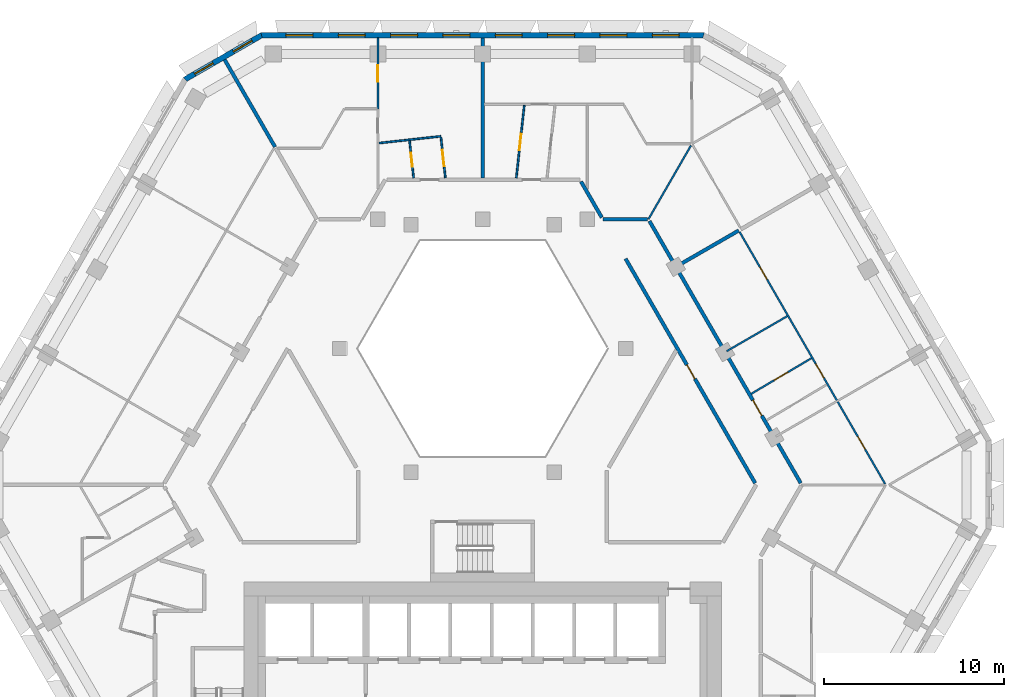
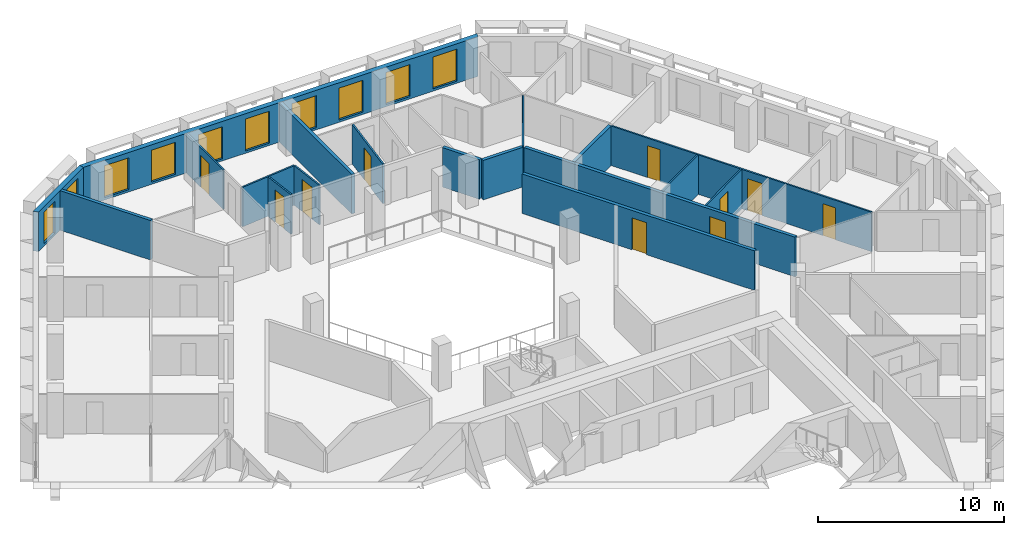
# One storey, part 8 of 17: 18 walls, 10 doors, 10 windows, 20 openings.
"""IFC4 building model written with IfcOpenShell, lengths in metres."""

from ifc_helpers import new_model, si_unit, direction, frame, frame_2d, origin, place, context, subcontext, project, spatial, polyline, rectangle, outline, extrude, material, layer, layer_set, type_object, element, fill, save


model = new_model("IFC4")

# Units and contexts
model_context = context("Model", 3, precision=1e-05, world=origin(), true_north=direction((0.0, 1.0)))
body_context = subcontext(model_context, "Body", "Model", "MODEL_VIEW")
ifc_project = project(units=[si_unit("LENGTHUNIT", "METRE"), si_unit("AREAUNIT", "SQUARE_METRE"), si_unit("VOLUMEUNIT", "CUBIC_METRE"), si_unit("PLANEANGLEUNIT", "RADIAN"), si_unit("MASSUNIT", "GRAM", prefix="KILO")], contexts=[model_context])

# Site, building, storey
site_placement = place(None, origin())
site = spatial("IfcSite", under=ifc_project, at=site_placement, CompositionType="ELEMENT")
building_placement = place(site_placement, origin())
building = spatial("IfcBuilding", under=site, at=building_placement, Name="Beryl Residences", CompositionType="ELEMENT")
storey_placement = place(building_placement, frame((0.0, 0.0, 150.60009765625)))
storey = spatial("IfcBuildingStorey", under=building, at=storey_placement, Name="L46", CompositionType="ELEMENT", Elevation=150.60009765625)

# Wall, openings, windows
ifc_material_1 = material(Name="Composite metal panel with mineral wool insulation")
ifc_layer_1 = layer(ifc_material_1, 0.300048828125)
ifc_layer_set_1 = layer_set([ifc_layer_1], Name="ES1 pale metal composite panel wall 300 mm")
wall_type_1 = type_object("IfcWallType", Name="ES1 pale metal composite panel wall 300 mm", PredefinedType="SOLIDWALL", material=ifc_layer_set_1)
wall_1_placement = place(storey_placement, frame((12.35498046875, 25.449951171875, 0.0), z_axis=(0.0, 0.0, 1.0), x_axis=(-1.0, 0.0, 0.0)))
wall_1 = element("IfcWall", 1, at=wall_1_placement, inside=storey, type_object=wall_type_1, Name="ES1 external wall L46 N", PredefinedType="SOLIDWALL", context=body_context, shape_type="SweptSolid", body=[
    extrude(outline(polyline([(0.0, -0.14990234375), (24.7099609375, -0.14990234375), (24.629638671875, 0.14990234375), (0.080322265625, 0.14990234375), (0.0, -0.14990234375)])), origin(), (0.0, 0.0, 1.0), 2.599853515625),
])
opening_1_placement = place(wall_1_placement, frame((1.40087890625, 0.0, 0.14990234375)))
opening_1 = element("IfcOpeningElement", 2, at=opening_1_placement, cuts=wall_1, Name="Opening W1", PredefinedType="OPENING", context=body_context, shape_type="SweptSolid", body=[
    extrude(rectangle(XDim=1.5, YDim=2.10009765625, at=frame_2d((0.75, 1.050048828125))), frame((0.0, 0.159912109375, 0.0), z_axis=(0.0, -1.0, 0.0), x_axis=(1.0, 0.0, 0.0)), (0.0, 0.0, 1.0), 0.320068359375),
])
opening_2_placement = place(wall_1_placement, frame((4.31591796875, 0.0, 0.14990234375)))
opening_2 = element("IfcOpeningElement", 3, at=opening_2_placement, cuts=wall_1, Name="Opening W1", PredefinedType="OPENING", context=body_context, shape_type="SweptSolid", body=[
    extrude(rectangle(XDim=1.5, YDim=2.10009765625, at=frame_2d((0.75, 1.050048828125))), frame((0.0, 0.159912109375, 0.0), z_axis=(0.0, -1.0, 0.0), x_axis=(1.0, 0.0, 0.0)), (0.0, 0.0, 1.0), 0.320068359375),
])
opening_3_placement = place(wall_1_placement, frame((7.23193359375, 0.0, 0.14990234375)))
opening_3 = element("IfcOpeningElement", 4, at=opening_3_placement, cuts=wall_1, Name="Opening W1", PredefinedType="OPENING", context=body_context, shape_type="SweptSolid", body=[
    extrude(rectangle(XDim=1.5, YDim=2.10009765625, at=frame_2d((0.75, 1.050048828125))), frame((0.0, 0.159912109375, 0.0), z_axis=(0.0, -1.0, 0.0), x_axis=(1.0, 0.0, 0.0)), (0.0, 0.0, 1.0), 0.320068359375),
])
opening_4_placement = place(wall_1_placement, frame((10.14697265625, 0.0, 0.14990234375)))
opening_4 = element("IfcOpeningElement", 5, at=opening_4_placement, cuts=wall_1, Name="Opening W1", PredefinedType="OPENING", context=body_context, shape_type="SweptSolid", body=[
    extrude(rectangle(XDim=1.5, YDim=2.10009765625, at=frame_2d((0.75, 1.050048828125))), frame((0.0, 0.159912109375, 0.0), z_axis=(0.0, -1.0, 0.0), x_axis=(1.0, 0.0, 0.0)), (0.0, 0.0, 1.0), 0.320068359375),
])
opening_5_placement = place(wall_1_placement, frame((13.06298828125, 0.0, 0.14990234375)))
opening_5 = element("IfcOpeningElement", 6, at=opening_5_placement, cuts=wall_1, Name="Opening W1", PredefinedType="OPENING", context=body_context, shape_type="SweptSolid", body=[
    extrude(rectangle(XDim=1.5, YDim=2.10009765625, at=frame_2d((0.75, 1.050048828125))), frame((0.0, 0.159912109375, 0.0), z_axis=(0.0, -1.0, 0.0), x_axis=(1.0, 0.0, 0.0)), (0.0, 0.0, 1.0), 0.320068359375),
])
opening_6_placement = place(wall_1_placement, frame((15.97802734375, 0.0, 0.14990234375)))
opening_6 = element("IfcOpeningElement", 7, at=opening_6_placement, cuts=wall_1, Name="Opening W1", PredefinedType="OPENING", context=body_context, shape_type="SweptSolid", body=[
    extrude(rectangle(XDim=1.5, YDim=2.10009765625, at=frame_2d((0.75, 1.050048828125))), frame((0.0, 0.159912109375, 0.0), z_axis=(0.0, -1.0, 0.0), x_axis=(1.0, 0.0, 0.0)), (0.0, 0.0, 1.0), 0.320068359375),
])
opening_7_placement = place(wall_1_placement, frame((18.89404296875, 0.0, 0.14990234375)))
opening_7 = element("IfcOpeningElement", 8, at=opening_7_placement, cuts=wall_1, Name="Opening W1", PredefinedType="OPENING", context=body_context, shape_type="SweptSolid", body=[
    extrude(rectangle(XDim=1.5, YDim=2.10009765625, at=frame_2d((0.75, 1.050048828125))), frame((0.0, 0.159912109375, 0.0), z_axis=(0.0, -1.0, 0.0), x_axis=(1.0, 0.0, 0.0)), (0.0, 0.0, 1.0), 0.320068359375),
])
opening_8_placement = place(wall_1_placement, frame((21.80908203125, 0.0, 0.14990234375)))
opening_8 = element("IfcOpeningElement", 9, at=opening_8_placement, cuts=wall_1, Name="Opening W1", PredefinedType="OPENING", context=body_context, shape_type="SweptSolid", body=[
    extrude(rectangle(XDim=1.5, YDim=2.10009765625, at=frame_2d((0.75, 1.050048828125))), frame((0.0, 0.159912109375, 0.0), z_axis=(0.0, -1.0, 0.0), x_axis=(1.0, 0.0, 0.0)), (0.0, 0.0, 1.0), 0.320068359375),
])
ifc_material_2 = material(Name="Aluminium and clear glass", Category="aluminium")
window_type_1 = type_object("IfcWindowType", Name="W1 cell window 1500 x 2100 mm", PartitioningType="SINGLE_PANEL", PredefinedType="WINDOW", material=ifc_material_2)
window_1_placement = place(opening_1_placement, origin())
window_1 = element("IfcWindow", 10, at=window_1_placement, inside=storey, type_object=window_type_1, Name="W1 window L46 N 1", OverallHeight=2.10009765625, OverallWidth=1.5, PartitioningType="SINGLE_PANEL", PredefinedType="WINDOW", context=body_context, shape_type="SweptSolid", body=[
    extrude(rectangle(XDim=1.5, YDim=2.10009765625, at=frame_2d((0.75, 1.050048828125))), frame((0.0, 0.030029296875, 0.0), z_axis=(0.0, -1.0, 0.0), x_axis=(1.0, 0.0, 0.0)), (0.0, 0.0, 1.0), 0.06005859375),
])
fill(opening_1, window_1)
window_2_placement = place(opening_2_placement, origin())
window_2 = element("IfcWindow", 11, at=window_2_placement, inside=storey, type_object=window_type_1, Name="W1 window L46 N 2", OverallHeight=2.10009765625, OverallWidth=1.5, PartitioningType="SINGLE_PANEL", PredefinedType="WINDOW", context=body_context, shape_type="SweptSolid", body=[
    extrude(rectangle(XDim=1.5, YDim=2.10009765625, at=frame_2d((0.75, 1.050048828125))), frame((0.0, 0.030029296875, 0.0), z_axis=(0.0, -1.0, 0.0), x_axis=(1.0, 0.0, 0.0)), (0.0, 0.0, 1.0), 0.06005859375),
])
fill(opening_2, window_2)
window_3_placement = place(opening_3_placement, origin())
window_3 = element("IfcWindow", 12, at=window_3_placement, inside=storey, type_object=window_type_1, Name="W1 window L46 N 3", OverallHeight=2.10009765625, OverallWidth=1.5, PartitioningType="SINGLE_PANEL", PredefinedType="WINDOW", context=body_context, shape_type="SweptSolid", body=[
    extrude(rectangle(XDim=1.5, YDim=2.10009765625, at=frame_2d((0.75, 1.050048828125))), frame((0.0, 0.030029296875, 0.0), z_axis=(0.0, -1.0, 0.0), x_axis=(1.0, 0.0, 0.0)), (0.0, 0.0, 1.0), 0.06005859375),
])
fill(opening_3, window_3)
window_4_placement = place(opening_4_placement, origin())
window_4 = element("IfcWindow", 13, at=window_4_placement, inside=storey, type_object=window_type_1, Name="W1 window L46 N 4", OverallHeight=2.10009765625, OverallWidth=1.5, PartitioningType="SINGLE_PANEL", PredefinedType="WINDOW", context=body_context, shape_type="SweptSolid", body=[
    extrude(rectangle(XDim=1.5, YDim=2.10009765625, at=frame_2d((0.75, 1.050048828125))), frame((0.0, 0.030029296875, 0.0), z_axis=(0.0, -1.0, 0.0), x_axis=(1.0, 0.0, 0.0)), (0.0, 0.0, 1.0), 0.06005859375),
])
fill(opening_4, window_4)
window_5_placement = place(opening_5_placement, origin())
window_5 = element("IfcWindow", 14, at=window_5_placement, inside=storey, type_object=window_type_1, Name="W1 window L46 N 5", OverallHeight=2.10009765625, OverallWidth=1.5, PartitioningType="SINGLE_PANEL", PredefinedType="WINDOW", context=body_context, shape_type="SweptSolid", body=[
    extrude(rectangle(XDim=1.5, YDim=2.10009765625, at=frame_2d((0.75, 1.050048828125))), frame((0.0, 0.030029296875, 0.0), z_axis=(0.0, -1.0, 0.0), x_axis=(1.0, 0.0, 0.0)), (0.0, 0.0, 1.0), 0.06005859375),
])
fill(opening_5, window_5)
window_6_placement = place(opening_6_placement, origin())
window_6 = element("IfcWindow", 15, at=window_6_placement, inside=storey, type_object=window_type_1, Name="W1 window L46 N 6", OverallHeight=2.10009765625, OverallWidth=1.5, PartitioningType="SINGLE_PANEL", PredefinedType="WINDOW", context=body_context, shape_type="SweptSolid", body=[
    extrude(rectangle(XDim=1.5, YDim=2.10009765625, at=frame_2d((0.75, 1.050048828125))), frame((0.0, 0.030029296875, 0.0), z_axis=(0.0, -1.0, 0.0), x_axis=(1.0, 0.0, 0.0)), (0.0, 0.0, 1.0), 0.06005859375),
])
fill(opening_6, window_6)
window_7_placement = place(opening_7_placement, origin())
window_7 = element("IfcWindow", 16, at=window_7_placement, inside=storey, type_object=window_type_1, Name="W1 window L46 N 7", OverallHeight=2.10009765625, OverallWidth=1.5, PartitioningType="SINGLE_PANEL", PredefinedType="WINDOW", context=body_context, shape_type="SweptSolid", body=[
    extrude(rectangle(XDim=1.5, YDim=2.10009765625, at=frame_2d((0.75, 1.050048828125))), frame((0.0, 0.030029296875, 0.0), z_axis=(0.0, -1.0, 0.0), x_axis=(1.0, 0.0, 0.0)), (0.0, 0.0, 1.0), 0.06005859375),
])
fill(opening_7, window_7)
window_8_placement = place(opening_8_placement, origin())
window_8 = element("IfcWindow", 17, at=window_8_placement, inside=storey, type_object=window_type_1, Name="W1 window L46 N 8", OverallHeight=2.10009765625, OverallWidth=1.5, PartitioningType="SINGLE_PANEL", PredefinedType="WINDOW", context=body_context, shape_type="SweptSolid", body=[
    extrude(rectangle(XDim=1.5, YDim=2.10009765625, at=frame_2d((0.75, 1.050048828125))), frame((0.0, 0.030029296875, 0.0), z_axis=(0.0, -1.0, 0.0), x_axis=(1.0, 0.0, 0.0)), (0.0, 0.0, 1.0), 0.06005859375),
])
fill(opening_8, window_8)

wall_2_placement = place(storey_placement, frame((-12.280029296875, 25.469970703125, 0.0), z_axis=(0.0, 0.0, 1.0), x_axis=(-0.866022959057, -0.500004234368, 0.0)))
wall_2 = element("IfcWall", 18, at=wall_2_placement, inside=storey, type_object=wall_type_1, Name="ES1 external wall L46 N-NW", PredefinedType="SOLIDWALL", context=body_context, shape_type="SweptSolid", body=[
    extrude(outline(polyline([(0.0, -0.14990234375), (5.0, -0.14990234375), (4.919677734375, 0.14990234375), (0.080322265625, 0.14990234375), (0.0, -0.14990234375)])), origin(), (0.0, 0.0, 1.0), 2.599853515625),
])
opening_9_placement = place(wall_2_placement, frame((0.64990234375, 0.0, 0.14990234375)))
opening_9 = element("IfcOpeningElement", 19, at=opening_9_placement, cuts=wall_2, Name="Opening W2", PredefinedType="OPENING", context=body_context, shape_type="SweptSolid", body=[
    extrude(rectangle(XDim=1.199951171875, YDim=2.10009765625, at=frame_2d((0.60009765625, 1.050048828125))), frame((0.0, 0.159912109375, 0.0), z_axis=(0.0, -1.0, 0.0), x_axis=(1.0, 0.0, 0.0)), (0.0, 0.0, 1.0), 0.320068359375),
])
opening_10_placement = place(wall_2_placement, frame((3.14892578125, 0.0, 0.14990234375)))
opening_10 = element("IfcOpeningElement", 20, at=opening_10_placement, cuts=wall_2, Name="Opening W2", PredefinedType="OPENING", context=body_context, shape_type="SweptSolid", body=[
    extrude(rectangle(XDim=1.199951171875, YDim=2.10009765625, at=frame_2d((0.60009765625, 1.050048828125))), frame((0.0, 0.159912109375, 0.0), z_axis=(0.0, -1.0, 0.0), x_axis=(1.0, 0.0, 0.0)), (0.0, 0.0, 1.0), 0.320068359375),
])
ifc_material_3 = material(Name="Aluminium and clear glass", Category="aluminium")
window_type_2 = type_object("IfcWindowType", Name="W2 chamfer window 1200 x 2100 mm", PartitioningType="SINGLE_PANEL", PredefinedType="WINDOW", material=ifc_material_3)
window_9_placement = place(opening_9_placement, origin())
window_9 = element("IfcWindow", 21, at=window_9_placement, inside=storey, type_object=window_type_2, Name="W2 window L46 N-NW 1", OverallHeight=2.10009765625, OverallWidth=1.199951171875, PartitioningType="SINGLE_PANEL", PredefinedType="WINDOW", context=body_context, shape_type="SweptSolid", body=[
    extrude(rectangle(XDim=1.199951171875, YDim=2.10009765625, at=frame_2d((0.60009765625, 1.050048828125))), frame((0.0, 0.030029296875, 0.0), z_axis=(0.0, -1.0, 0.0), x_axis=(1.0, 0.0, 0.0)), (0.0, 0.0, 1.0), 0.06005859375),
])
fill(opening_9, window_9)
window_10_placement = place(opening_10_placement, origin())
window_10 = element("IfcWindow", 22, at=window_10_placement, inside=storey, type_object=window_type_2, Name="W2 window L46 N-NW 2", OverallHeight=2.10009765625, OverallWidth=1.199951171875, PartitioningType="SINGLE_PANEL", PredefinedType="WINDOW", context=body_context, shape_type="SweptSolid", body=[
    extrude(rectangle(XDim=1.199951171875, YDim=2.10009765625, at=frame_2d((0.60009765625, 1.050048828125))), frame((0.0, 0.030029296875, 0.0), z_axis=(0.0, -1.0, 0.0), x_axis=(1.0, 0.0, 0.0)), (0.0, 0.0, 1.0), 0.06005859375),
])
fill(opening_10, window_10)

# Wall, openings, doors
ifc_material_4 = material(Name="Gypsum board partition on steel studs", Category="steel")
ifc_layer_2 = layer(ifc_material_4, 0.10009765625)
ifc_layer_set_2 = layer_set([ifc_layer_2], Name="PT1 partition 100 mm gypsum board on steel studs")
wall_type_2 = type_object("IfcWallType", Name="PT1 partition 100 mm gypsum board on steel studs", PredefinedType="PARTITIONING", material=ifc_layer_set_2)
wall_3_placement = place(storey_placement, frame((14.322998046875, 14.487060546875, 0.0), z_axis=(0.0, 0.0, 1.0), x_axis=(0.500011052545, -0.866019022501, 0.0)))
wall_3 = element("IfcWall", 23, at=wall_3_placement, inside=storey, type_object=wall_type_2, Name="Wall PT1 L46 003", PredefinedType="PARTITIONING", context=body_context, shape_type="SweptSolid", body=[
    extrude(rectangle(XDim=16.207763671875, YDim=0.10009765625, at=frame_2d((8.10400390625, 0.0))), origin(), (0.0, 0.0, 1.0), 2.599853515625),
])
opening_11_placement = place(wall_3_placement, frame((8.48388671875, 0.0, 0.0)))
opening_11 = element("IfcOpeningElement", 24, at=opening_11_placement, cuts=wall_3, Name="Opening D1123", PredefinedType="OPENING", context=body_context, shape_type="SweptSolid", body=[
    extrude(rectangle(XDim=0.89990234375, YDim=2.10009765625, at=frame_2d((0.449951171875, 1.050048828125))), frame((0.0, 0.06005859375, 0.0), z_axis=(0.0, -1.0, 0.0), x_axis=(1.0, 0.0, 0.0)), (0.0, 0.0, 1.0), 0.1201171875),
])
opening_12_placement = place(wall_3_placement, frame((2.251953125, 0.0, 0.0)))
opening_12 = element("IfcOpeningElement", 25, at=opening_12_placement, cuts=wall_3, Name="Opening D1125", PredefinedType="OPENING", context=body_context, shape_type="SweptSolid", body=[
    extrude(rectangle(XDim=0.800048828125, YDim=2.10009765625, at=frame_2d((0.39990234375, 1.050048828125))), frame((0.0, 0.06005859375, 0.0), z_axis=(0.0, -1.0, 0.0), x_axis=(1.0, 0.0, 0.0)), (0.0, 0.0, 1.0), 0.1201171875),
])
opening_13_placement = place(wall_3_placement, frame((13.1669921875, 0.0, 0.0)))
opening_13 = element("IfcOpeningElement", 26, at=opening_13_placement, cuts=wall_3, Name="Opening D1127", PredefinedType="OPENING", context=body_context, shape_type="SweptSolid", body=[
    extrude(rectangle(XDim=0.800048828125, YDim=2.10009765625, at=frame_2d((0.39990234375, 1.050048828125))), frame((0.0, 0.06005859375, 0.0), z_axis=(0.0, -1.0, 0.0), x_axis=(1.0, 0.0, 0.0)), (0.0, 0.0, 1.0), 0.1201171875),
])
ifc_material_5 = material(Name="Timber door leaf", Category="wood")
door_type_1 = type_object("IfcDoorType", Name="D2 room door 900 x 2100 mm", OperationType="SINGLE_SWING_LEFT", PredefinedType="DOOR", material=ifc_material_5)
door_1_placement = place(opening_11_placement, origin())
door_1 = element("IfcDoor", 27, at=door_1_placement, inside=storey, type_object=door_type_1, Name="Door D1123 L46 001", OperationType="SINGLE_SWING_LEFT", OverallHeight=2.10009765625, OverallWidth=0.89990234375, PredefinedType="DOOR", context=body_context, shape_type="SweptSolid", body=[
    extrude(rectangle(XDim=0.89990234375, YDim=2.10009765625, at=frame_2d((0.449951171875, 1.050048828125))), frame((0.0, 0.02490234375, 0.0), z_axis=(0.0, -1.0, 0.0), x_axis=(1.0, 0.0, 0.0)), (0.0, 0.0, 1.0), 0.050048828125),
])
fill(opening_11, door_1)
ifc_material_6 = material(Name="Timber door leaf", Category="wood")
door_type_2 = type_object("IfcDoorType", Name="D3 bathroom door 800 x 2100 mm", OperationType="SINGLE_SWING_LEFT", PredefinedType="DOOR", material=ifc_material_6)
door_2_placement = place(opening_12_placement, origin())
door_2 = element("IfcDoor", 28, at=door_2_placement, inside=storey, type_object=door_type_2, Name="Door D1125 L46 001", OperationType="SINGLE_SWING_LEFT", OverallHeight=2.10009765625, OverallWidth=0.800048828125, PredefinedType="DOOR", context=body_context, shape_type="SweptSolid", body=[
    extrude(rectangle(XDim=0.800048828125, YDim=2.10009765625, at=frame_2d((0.39990234375, 1.050048828125))), frame((0.0, 0.02490234375, 0.0), z_axis=(0.0, -1.0, 0.0), x_axis=(1.0, 0.0, 0.0)), (0.0, 0.0, 1.0), 0.050048828125),
])
fill(opening_12, door_2)
door_3_placement = place(opening_13_placement, origin())
door_3 = element("IfcDoor", 29, at=door_3_placement, inside=storey, type_object=door_type_2, Name="Door D1127 L46 001", OperationType="SINGLE_SWING_LEFT", OverallHeight=2.10009765625, OverallWidth=0.800048828125, PredefinedType="DOOR", context=body_context, shape_type="SweptSolid", body=[
    extrude(rectangle(XDim=0.800048828125, YDim=2.10009765625, at=frame_2d((0.39990234375, 1.050048828125))), frame((0.0, 0.02490234375, 0.0), z_axis=(0.0, -1.0, 0.0), x_axis=(1.0, 0.0, 0.0)), (0.0, 0.0, 1.0), 0.050048828125),
])
fill(opening_13, door_3)

# Wall, opening, door
wall_4_placement = place(storey_placement, frame((-2.319091796875, 19.77001953125, 0.0), z_axis=(0.0, 0.0, 1.0), x_axis=(0.109046821538, -0.994036614372, 0.0)))
wall_4 = element("IfcWall", 30, at=wall_4_placement, inside=storey, type_object=wall_type_2, Name="Wall PT1 L46 005", PredefinedType="PARTITIONING", context=body_context, shape_type="SweptSolid", body=[
    extrude(rectangle(XDim=2.28369140625, YDim=0.10009765625, at=frame_2d((1.141845703125, 0.0))), origin(), (0.0, 0.0, 1.0), 2.599853515625),
])
opening_14_placement = place(wall_4_placement, frame((0.717041015625, 0.0, 0.0)))
opening_14 = element("IfcOpeningElement", 31, at=opening_14_placement, cuts=wall_4, Name="Opening D1139", PredefinedType="OPENING", context=body_context, shape_type="SweptSolid", body=[
    extrude(rectangle(XDim=0.89990234375, YDim=2.10009765625, at=frame_2d((0.449951171875, 1.050048828125))), frame((0.0, 0.06005859375, 0.0), z_axis=(0.0, -1.0, 0.0), x_axis=(1.0, 0.0, 0.0)), (0.0, 0.0, 1.0), 0.1201171875),
])
door_4_placement = place(opening_14_placement, origin())
door_4 = element("IfcDoor", 32, at=door_4_placement, inside=storey, type_object=door_type_1, Name="Door D1139 L46 001", OperationType="SINGLE_SWING_LEFT", OverallHeight=2.10009765625, OverallWidth=0.89990234375, PredefinedType="DOOR", context=body_context, shape_type="SweptSolid", body=[
    extrude(rectangle(XDim=0.89990234375, YDim=2.10009765625, at=frame_2d((0.449951171875, 1.050048828125))), frame((0.0, 0.02490234375, 0.0), z_axis=(0.0, -1.0, 0.0), x_axis=(1.0, 0.0, 0.0)), (0.0, 0.0, 1.0), 0.050048828125),
])
fill(opening_14, door_4)

wall_5_placement = place(storey_placement, frame((-4.068115234375, 19.5791015625, 0.0), z_axis=(0.0, 0.0, 1.0), x_axis=(0.109022161139, -0.994039319333, 0.0)))
wall_5 = element("IfcWall", 33, at=wall_5_placement, inside=storey, type_object=wall_type_2, Name="Wall PT1 L46 006", PredefinedType="PARTITIONING", context=body_context, shape_type="SweptSolid", body=[
    extrude(rectangle(XDim=2.091552734375, YDim=0.10009765625, at=frame_2d((1.0458984375, 0.0))), origin(), (0.0, 0.0, 1.0), 2.599853515625),
])
opening_15_placement = place(wall_5_placement, frame((0.6708984375, 0.0, 0.0)))
opening_15 = element("IfcOpeningElement", 34, at=opening_15_placement, cuts=wall_5, Name="Opening D1140", PredefinedType="OPENING", context=body_context, shape_type="SweptSolid", body=[
    extrude(rectangle(XDim=0.800048828125, YDim=2.10009765625, at=frame_2d((0.39990234375, 1.050048828125))), frame((0.0, 0.06005859375, 0.0), z_axis=(0.0, -1.0, 0.0), x_axis=(1.0, 0.0, 0.0)), (0.0, 0.0, 1.0), 0.1201171875),
])
door_5_placement = place(opening_15_placement, origin())
door_5 = element("IfcDoor", 35, at=door_5_placement, inside=storey, type_object=door_type_2, Name="Door D1140 L46 001", OperationType="SINGLE_SWING_RIGHT", OverallHeight=2.10009765625, OverallWidth=0.800048828125, PredefinedType="DOOR", context=body_context, shape_type="SweptSolid", body=[
    extrude(rectangle(XDim=0.800048828125, YDim=2.10009765625, at=frame_2d((0.39990234375, 1.050048828125))), frame((0.0, 0.02490234375, 0.0), z_axis=(0.0, -1.0, 0.0), x_axis=(1.0, 0.0, 0.0)), (0.0, 0.0, 1.0), 0.050048828125),
])
fill(opening_15, door_5)

# Walls
wall_6_placement = place(storey_placement, frame((9.238037109375, 15.199951171875, 0.0), z_axis=(0.0, 0.0, 1.0), x_axis=(0.499988022762, 0.866032318735, 0.0)))
element("IfcWall", 36, at=wall_6_placement, inside=storey, type_object=wall_type_2, Name="Wall PT1 L46 029", PredefinedType="PARTITIONING", context=body_context, shape_type="SweptSolid", body=[
    extrude(rectangle(XDim=4.748046875, YDim=0.10009765625, at=frame_2d((2.3740234375, 0.0))), origin(), (0.0, 0.0, 1.0), 2.599853515625),
])
wall_7_placement = place(storey_placement, frame((-5.781005859375, 19.44091796875, 0.0), z_axis=(0.0, 0.0, 1.0), x_axis=(0.994005576935, 0.109329378588, 0.0)))
element("IfcWall", 37, at=wall_7_placement, inside=storey, type_object=wall_type_2, Name="Wall PT1 L46 034", PredefinedType="PARTITIONING", context=body_context, shape_type="SweptSolid", body=[
    extrude(rectangle(XDim=3.476806640625, YDim=0.10009765625, at=frame_2d((1.73828125, 0.0))), origin(), (0.0, 0.0, 1.0), 2.599853515625),
])

# Wall, opening, door
wall_8_placement = place(storey_placement, frame((1.87890625, 17.5, 0.0), z_axis=(0.0, 0.0, 1.0), x_axis=(0.10923450369, 0.994016007519, 0.0)))
wall_8 = element("IfcWall", 38, at=wall_8_placement, inside=storey, type_object=wall_type_2, Name="Wall PT1 L46 037", PredefinedType="PARTITIONING", context=body_context, shape_type="SweptSolid", body=[
    extrude(rectangle(XDim=4.074462890625, YDim=0.10009765625, at=frame_2d((2.037109375, 0.0))), origin(), (0.0, 0.0, 1.0), 2.599853515625),
])
opening_16_placement = place(wall_8_placement, frame((1.56201171875, 0.0, 0.0)))
opening_16 = element("IfcOpeningElement", 39, at=opening_16_placement, cuts=wall_8, Name="Opening D1132", PredefinedType="OPENING", context=body_context, shape_type="SweptSolid", body=[
    extrude(rectangle(XDim=0.89990234375, YDim=2.10009765625, at=frame_2d((0.449951171875, 1.050048828125))), frame((0.0, 0.06005859375, 0.0), z_axis=(0.0, -1.0, 0.0), x_axis=(1.0, 0.0, 0.0)), (0.0, 0.0, 1.0), 0.1201171875),
])
door_6_placement = place(opening_16_placement, origin())
door_6 = element("IfcDoor", 40, at=door_6_placement, inside=storey, type_object=door_type_1, Name="Door D1132 L46 001", OperationType="SINGLE_SWING_RIGHT", OverallHeight=2.10009765625, OverallWidth=0.89990234375, PredefinedType="DOOR", context=body_context, shape_type="SweptSolid", body=[
    extrude(rectangle(XDim=0.89990234375, YDim=2.10009765625, at=frame_2d((0.449951171875, 1.050048828125))), frame((0.0, 0.02490234375, 0.0), z_axis=(0.0, -1.0, 0.0), x_axis=(1.0, 0.0, 0.0)), (0.0, 0.0, 1.0), 0.050048828125),
])
fill(opening_16, door_6)

wall_9_placement = place(storey_placement, frame((-5.8310546875, 21.3349609375, 0.0), z_axis=(0.0, 0.0, 1.0), x_axis=(0.0, 1.0, 0.0)))
wall_9 = element("IfcWall", 41, at=wall_9_placement, inside=storey, type_object=wall_type_2, Name="Wall PT1 L46 046", PredefinedType="PARTITIONING", context=body_context, shape_type="SweptSolid", body=[
    extrude(rectangle(XDim=3.965087890625, YDim=0.10009765625, at=frame_2d((1.982421875, 0.0))), origin(), (0.0, 0.0, 1.0), 2.599853515625),
])
opening_17_placement = place(wall_9_placement, frame((1.532958984375, 0.0, 0.0)))
opening_17 = element("IfcOpeningElement", 42, at=opening_17_placement, cuts=wall_9, Name="Opening D1141", PredefinedType="OPENING", context=body_context, shape_type="SweptSolid", body=[
    extrude(rectangle(XDim=0.89990234375, YDim=2.10009765625, at=frame_2d((0.449951171875, 1.050048828125))), frame((0.0, 0.06005859375, 0.0), z_axis=(0.0, -1.0, 0.0), x_axis=(1.0, 0.0, 0.0)), (0.0, 0.0, 1.0), 0.1201171875),
])
door_7_placement = place(opening_17_placement, origin())
door_7 = element("IfcDoor", 43, at=door_7_placement, inside=storey, type_object=door_type_1, Name="Door D1141 L46 001", OperationType="SINGLE_SWING_LEFT", OverallHeight=2.10009765625, OverallWidth=0.89990234375, PredefinedType="DOOR", context=body_context, shape_type="SweptSolid", body=[
    extrude(rectangle(XDim=0.89990234375, YDim=2.10009765625, at=frame_2d((0.449951171875, 1.050048828125))), frame((0.0, 0.02490234375, 0.0), z_axis=(0.0, -1.0, 0.0), x_axis=(1.0, 0.0, 0.0)), (0.0, 0.0, 1.0), 0.050048828125),
])
fill(opening_17, door_7)

# Wall
wall_10_placement = place(storey_placement, frame((13.596923828125, 7.85009765625, 0.0), z_axis=(0.0, 0.0, 1.0), x_axis=(0.865979019114, 0.500080332001, 0.0)))
element("IfcWall", 44, at=wall_10_placement, inside=storey, type_object=wall_type_2, Name="Wall PT1 L46 053", PredefinedType="PARTITIONING", context=body_context, shape_type="SweptSolid", body=[
    extrude(rectangle(XDim=3.897216796875, YDim=0.10009765625, at=frame_2d((1.94873046875, 0.0))), origin(), (0.0, 0.0, 1.0), 2.599853515625),
])

# Wall, opening, door
wall_11_placement = place(storey_placement, frame((14.968017578125, 5.47509765625, 0.0), z_axis=(0.0, 0.0, 1.0), x_axis=(0.860594613521, 0.509290596005, 0.0)))
wall_11 = element("IfcWall", 45, at=wall_11_placement, inside=storey, type_object=wall_type_2, Name="Wall PT1 L46 058", PredefinedType="PARTITIONING", context=body_context, shape_type="SweptSolid", body=[
    extrude(rectangle(XDim=3.897216796875, YDim=0.10009765625, at=frame_2d((1.94873046875, 0.0))), origin(), (0.0, 0.0, 1.0), 2.599853515625),
])
opening_18_placement = place(wall_11_placement, frame((1.47412109375, 0.0, 0.0)))
opening_18 = element("IfcOpeningElement", 46, at=opening_18_placement, cuts=wall_11, Name="Opening D1122", PredefinedType="OPENING", context=body_context, shape_type="SweptSolid", body=[
    extrude(rectangle(XDim=0.89990234375, YDim=2.10009765625, at=frame_2d((0.449951171875, 1.050048828125))), frame((0.0, 0.06005859375, 0.0), z_axis=(0.0, -1.0, 0.0), x_axis=(1.0, 0.0, 0.0)), (0.0, 0.0, 1.0), 0.1201171875),
])
door_8_placement = place(opening_18_placement, origin())
door_8 = element("IfcDoor", 47, at=door_8_placement, inside=storey, type_object=door_type_1, Name="Door D1122 L46 001", OperationType="SINGLE_SWING_RIGHT", OverallHeight=2.10009765625, OverallWidth=0.89990234375, PredefinedType="DOOR", context=body_context, shape_type="SweptSolid", body=[
    extrude(rectangle(XDim=0.89990234375, YDim=2.10009765625, at=frame_2d((0.449951171875, 1.050048828125))), frame((0.0, 0.02490234375, 0.0), z_axis=(0.0, -1.0, 0.0), x_axis=(1.0, 0.0, 0.0)), (0.0, 0.0, 1.0), 0.050048828125),
])
fill(opening_18, door_8)

# Walls
ifc_material_7 = material(Name="Acoustic double stud gypsum board wall")
ifc_layer_3 = layer(ifc_material_7, 0.199951171875)
ifc_layer_set_3 = layer_set([ifc_layer_3], Name="PT3 party wall 200 mm acoustic double stud")
wall_type_3 = type_object("IfcWallType", Name="PT3 party wall 200 mm acoustic double stud", PredefinedType="PARTITIONING", material=ifc_layer_set_3)
wall_12_placement = place(storey_placement, frame((-14.3701171875, 24.090087890625, 0.0), z_axis=(0.0, 0.0, 1.0), x_axis=(0.500057386422, -0.865992269183, 0.0)))
element("IfcWall", 48, at=wall_12_placement, inside=storey, type_object=wall_type_3, Name="Wall PT3 L46 001", PredefinedType="PARTITIONING", context=body_context, shape_type="SweptSolid", body=[
    extrude(rectangle(XDim=5.615478515625, YDim=0.199951171875, at=frame_2d((2.8076171875, 0.0))), origin(), (0.0, 0.0, 1.0), 2.599853515625),
])
wall_13_placement = place(storey_placement, frame((0.0, 17.5, 0.0), z_axis=(0.0, 0.0, 1.0), x_axis=(0.0, 1.0, 0.0)))
element("IfcWall", 49, at=wall_13_placement, inside=storey, type_object=wall_type_3, Name="Wall PT3 L46 008", PredefinedType="PARTITIONING", context=body_context, shape_type="SweptSolid", body=[
    extrude(rectangle(XDim=7.800048828125, YDim=0.199951171875, at=frame_2d((3.89990234375, 0.0))), origin(), (0.0, 0.0, 1.0), 2.599853515625),
])
wall_14_placement = place(storey_placement, frame((10.85400390625, 12.60009765625, 0.0), z_axis=(0.0, 0.0, 1.0), x_axis=(0.866031112038, 0.499990112884, 0.0)))
element("IfcWall", 50, at=wall_14_placement, inside=storey, type_object=wall_type_3, Name="Wall PT3 L46 011", PredefinedType="PARTITIONING", context=body_context, shape_type="SweptSolid", body=[
    extrude(rectangle(XDim=3.94775390625, YDim=0.199951171875, at=frame_2d((1.973876953125, 0.0))), origin(), (0.0, 0.0, 1.0), 2.599853515625),
])
ifc_material_8 = material(Name="Double stud gypsum board wall")
ifc_layer_4 = layer(ifc_material_8, 0.199951171875)
ifc_layer_set_4 = layer_set([ifc_layer_4], Name="PT4 corridor wall 200 mm double stud")
wall_type_4 = type_object("IfcWallType", Name="PT4 corridor wall 200 mm double stud", PredefinedType="PARTITIONING", material=ifc_layer_set_4)
wall_15_placement = place(storey_placement, frame((5.485107421875, 17.300048828125, 0.0), z_axis=(0.0, 0.0, 1.0), x_axis=(0.500027479704, -0.866009537788, 0.0)))
element("IfcWall", 51, at=wall_15_placement, inside=storey, type_object=wall_type_4, Name="Wall PT4 L46 004", PredefinedType="PARTITIONING", context=body_context, shape_type="SweptSolid", body=[
    extrude(rectangle(XDim=2.309326171875, YDim=0.199951171875, at=frame_2d((1.15478515625, 0.0))), origin(), (0.0, 0.0, 1.0), 2.599853515625),
])

# Wall, opening, door
wall_16_placement = place(storey_placement, frame((7.967041015625, 13.0, 0.0), z_axis=(0.0, 0.0, 1.0), x_axis=(0.50003774998, -0.866003607726, 0.0)))
wall_16 = element("IfcWall", 52, at=wall_16_placement, inside=storey, type_object=wall_type_4, Name="Wall PT4 L46 005", PredefinedType="PARTITIONING", context=body_context, shape_type="SweptSolid", body=[
    extrude(rectangle(XDim=14.43310546875, YDim=0.199951171875, at=frame_2d((7.216552734375, 0.0))), origin(), (0.0, 0.0, 1.0), 2.599853515625),
])
opening_19_placement = place(wall_16_placement, frame((6.823974609375, 0.0, 0.0)))
opening_19 = element("IfcOpeningElement", 53, at=opening_19_placement, cuts=wall_16, Name="Opening D1155", PredefinedType="OPENING", context=body_context, shape_type="SweptSolid", body=[
    extrude(rectangle(XDim=0.89990234375, YDim=2.10009765625, at=frame_2d((0.449951171875, 1.050048828125))), frame((0.0, 0.10986328125, 0.0), z_axis=(0.0, -1.0, 0.0), x_axis=(1.0, 0.0, 0.0)), (0.0, 0.0, 1.0), 0.219970703125),
])
door_9_placement = place(opening_19_placement, origin())
door_9 = element("IfcDoor", 54, at=door_9_placement, inside=storey, type_object=door_type_1, Name="Door D1155 L46 001", OperationType="SINGLE_SWING_LEFT", OverallHeight=2.10009765625, OverallWidth=0.89990234375, PredefinedType="DOOR", context=body_context, shape_type="SweptSolid", body=[
    extrude(rectangle(XDim=0.89990234375, YDim=2.10009765625, at=frame_2d((0.449951171875, 1.050048828125))), frame((0.0, 0.02490234375, 0.0), z_axis=(0.0, -1.0, 0.0), x_axis=(1.0, 0.0, 0.0)), (0.0, 0.0, 1.0), 0.050048828125),
])
fill(opening_19, door_9)

wall_17_placement = place(storey_placement, frame((9.2958984375, 15.10009765625, 0.0), z_axis=(0.0, 0.0, 1.0), x_axis=(0.499974024244, -0.866040400375, 0.0)))
wall_17 = element("IfcWall", 55, at=wall_17_placement, inside=storey, type_object=wall_type_4, Name="Wall PT4 L46 006", PredefinedType="PARTITIONING", context=body_context, shape_type="SweptSolid", body=[
    extrude(rectangle(XDim=16.857421875, YDim=0.199951171875, at=frame_2d((8.4287109375, 0.0))), origin(), (0.0, 0.0, 1.0), 2.599853515625),
])
opening_20_placement = place(wall_17_placement, frame((11.52197265625, 0.0, 0.0)))
opening_20 = element("IfcOpeningElement", 56, at=opening_20_placement, cuts=wall_17, Name="Opening D1120", PredefinedType="OPENING", context=body_context, shape_type="SweptSolid", body=[
    extrude(rectangle(XDim=1.0, YDim=2.10009765625, at=frame_2d((0.5, 1.050048828125))), frame((0.0, 0.10986328125, 0.0), z_axis=(0.0, -1.0, 0.0), x_axis=(1.0, 0.0, 0.0)), (0.0, 0.0, 1.0), 0.219970703125),
])
ifc_material_9 = material(Name="Timber door leaf", Category="wood")
door_type_3 = type_object("IfcDoorType", Name="D1 flat entrance door 1000 x 2100 mm", OperationType="SINGLE_SWING_LEFT", PredefinedType="DOOR", material=ifc_material_9)
door_10_placement = place(opening_20_placement, origin())
door_10 = element("IfcDoor", 57, at=door_10_placement, inside=storey, type_object=door_type_3, Name="Door D1120 L46 001", OperationType="SINGLE_SWING_RIGHT", OverallHeight=2.10009765625, OverallWidth=1.0, PredefinedType="DOOR", context=body_context, shape_type="SweptSolid", body=[
    extrude(rectangle(XDim=1.0, YDim=2.10009765625, at=frame_2d((0.5, 1.050048828125))), frame((0.0, 0.02490234375, 0.0), z_axis=(0.0, -1.0, 0.0), x_axis=(1.0, 0.0, 0.0)), (0.0, 0.0, 1.0), 0.050048828125),
])
fill(opening_20, door_10)

# Wall
wall_18_placement = place(storey_placement, frame((6.697021484375, 15.199951171875, 0.0), z_axis=(0.0, 0.0, 1.0), x_axis=(1.0, 0.0, 0.0)))
element("IfcWall", 58, at=wall_18_placement, inside=storey, type_object=wall_type_4, Name="Wall PT4 L46 016", PredefinedType="PARTITIONING", context=body_context, shape_type="SweptSolid", body=[
    extrude(rectangle(XDim=2.48291015625, YDim=0.199951171875, at=frame_2d((1.241455078125, 0.0))), origin(), (0.0, 0.0, 1.0), 2.599853515625),
])

save(model, "model.ifc")
